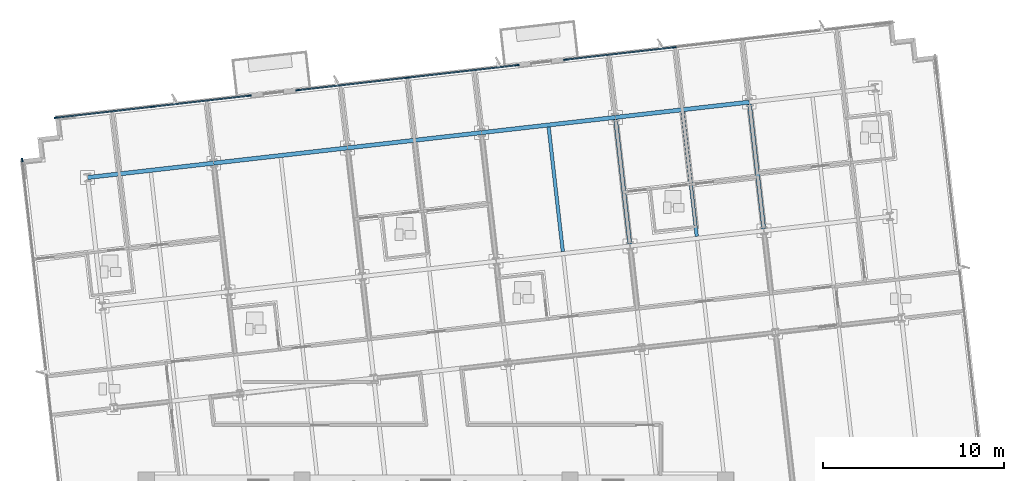
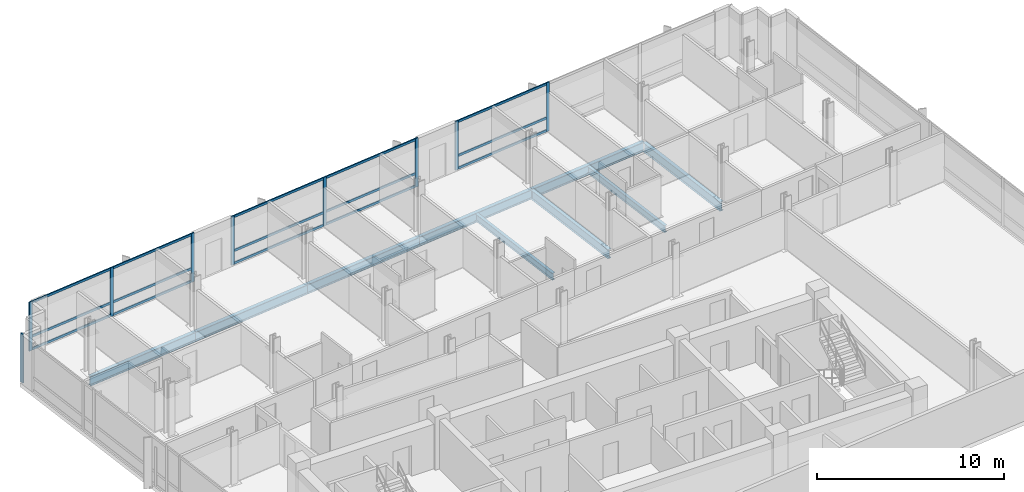
# One storey, part 5 of 17: 24 members, 9 beams, 4 elements without a shape of their own.
"""IFC4 building model written with IfcOpenShell, lengths in metres."""

from ifc_helpers import new_model, si_unit, direction, frame, origin, origin_2d, place, context, subcontext, project, spatial, rectangle, i_section, extrude, material, material_profile, profile_set, type_object, element, aggregate, save


model = new_model("IFC4")

# Units and contexts
model_context = context("Model", 3, precision=1e-05, world=origin(), true_north=direction((0.0, 1.0)))
body_context = subcontext(model_context, "Body", "Model", "MODEL_VIEW")
ifc_project = project(units=[si_unit("LENGTHUNIT", "METRE"), si_unit("AREAUNIT", "SQUARE_METRE"), si_unit("VOLUMEUNIT", "CUBIC_METRE"), si_unit("PLANEANGLEUNIT", "RADIAN"), si_unit("MASSUNIT", "GRAM", prefix="KILO")], contexts=[model_context])

# Site, building, storey
site_placement = place(None, origin())
site = spatial("IfcSite", under=ifc_project, at=site_placement, CompositionType="ELEMENT")
building_placement = place(site_placement, origin())
building = spatial("IfcBuilding", under=site, at=building_placement, Name="Solmavex Isthmus Hotel", CompositionType="ELEMENT")
storey_placement = place(building_placement, frame((0.0, 0.0, 202.050048828125)))
storey = spatial("IfcBuildingStorey", under=building, at=storey_placement, Name="L54", CompositionType="ELEMENT", Elevation=202.050048828125)

# Beams
ifc_material_1 = material(Name="Steel ASTM A992 Grade 50", Category="steel")
ifc_material_profile_1 = material_profile(ifc_material_1, i_section(OverallWidth=0.1904296875, OverallDepth=0.456787109375, WebThickness=0.009033203125, FlangeThickness=0.014404296875, FilletRadius=0.0126953125, at=origin_2d()), Name="W18X50")
ifc_profile_set_1 = profile_set([ifc_material_profile_1], Name="Steel ASTM A992 Grade 50")
beam_type_1 = type_object("IfcBeamType", Name="BM-BJ-W18X50", PredefinedType="JOIST", material=ifc_profile_set_1)
for number, where, z_axis, x_axis, name in (
    (1, (7.009033203125, 10.1328125, -0.488525390625), (-0.113202453846, 0.993571942258, 0.0), (-0.993571942258, -0.113202453846, 0.0), "Secondary Floor Joist L54-J14"),
    (2, (14.4072265625, 10.975830078125, -0.488525390625), (-0.113202453846, 0.993571942258, 0.0), (-0.993571942258, -0.113202453846, 0.0), "Secondary Floor Joist L54-J18"),
):
    element("IfcBeam", number, at=place(storey_placement, frame(where, z_axis=z_axis, x_axis=x_axis)), inside=storey, type_object=beam_type_1, Name=name, PredefinedType="JOIST", context=body_context, shape_type="SweptSolid", body=[
        extrude(i_section(OverallWidth=0.1904296875, OverallDepth=0.456787109375, WebThickness=0.009033203125, FlangeThickness=0.014404296875, FilletRadius=0.0126953125, at=origin_2d()), origin(), (0.0, 0.0, 1.0), 6.9228515625),
    ])
ifc_material_profile_2 = material_profile(ifc_material_1, i_section(OverallWidth=0.227783203125, OverallDepth=0.602783203125, WebThickness=0.010498046875, FlangeThickness=0.014892578125, FilletRadius=0.01513671875, at=origin_2d()), Name="W24X68")
ifc_profile_set_2 = profile_set([ifc_material_profile_2], Name="Steel ASTM A992 Grade 50")
beam_type_2 = type_object("IfcBeamType", Name="BM-BM-W24X68", PredefinedType="BEAM", material=ifc_profile_set_2)
for number, where, z_axis, x_axis, name in (
    (3, (10.708251953125, 10.55419921875, -0.561279296875), (-0.113202453846, 0.993571942258, 0.0), (-0.993571942258, -0.113202453846, 0.0), "Floor Beam L54-VG39"),
    (4, (18.106201171875, 11.397216796875, -0.561279296875), (-0.113202453846, 0.993571942258, 0.0), (-0.993571942258, -0.113202453846, 0.0), "Floor Beam L54-VG42"),
):
    element("IfcBeam", number, at=place(storey_placement, frame(where, z_axis=z_axis, x_axis=x_axis)), inside=storey, type_object=beam_type_2, Name=name, PredefinedType="BEAM", context=body_context, shape_type="SweptSolid", body=[
        extrude(i_section(OverallWidth=0.227783203125, OverallDepth=0.602783203125, WebThickness=0.010498046875, FlangeThickness=0.014892578125, FilletRadius=0.01513671875, at=origin_2d()), origin(), (0.0, 0.0, 1.0), 6.9228515625),
    ])
ifc_material_profile_3 = material_profile(ifc_material_1, i_section(OverallWidth=0.230224609375, OverallDepth=0.617431640625, WebThickness=0.01318359375, FlangeThickness=0.022216796875, FilletRadius=0.01513671875, at=origin_2d()), Name="W24X94")
ifc_profile_set_3 = profile_set([ifc_material_profile_3], Name="Steel ASTM A992 Grade 50")
beam_type_3 = type_object("IfcBeamType", Name="BM-SP-W24X94", PredefinedType="SPANDREL", material=ifc_profile_set_3)
beam_1_placement = place(storey_placement, frame((-19.245849609375, 14.22509765625, -0.56884765625), z_axis=(0.99357359356, 0.113187959519, 0.0), x_axis=(-0.113187959519, 0.99357359356, 0.0)))
element("IfcBeam", 5, at=beam_1_placement, inside=storey, type_object=beam_type_3, Name="Floor Girder L54-UG18", PredefinedType="SPANDREL", context=body_context, shape_type="SweptSolid", body=[
    extrude(i_section(OverallWidth=0.230224609375, OverallDepth=0.617431640625, WebThickness=0.01318359375, FlangeThickness=0.022216796875, FilletRadius=0.01513671875, at=origin_2d()), origin(), (0.0, 0.0, 1.0), 7.0078125),
])
beam_2_placement = place(storey_placement, frame((-12.282958984375, 15.018310546875, -0.56884765625), z_axis=(0.9935703463, 0.113216460607, 0.0), x_axis=(-0.113216460607, 0.9935703463, 0.0)))
element("IfcBeam", 6, at=beam_2_placement, inside=storey, type_object=beam_type_3, Name="Floor Girder L54-UG19", PredefinedType="SPANDREL", context=body_context, shape_type="SweptSolid", body=[
    extrude(i_section(OverallWidth=0.230224609375, OverallDepth=0.617431640625, WebThickness=0.01318359375, FlangeThickness=0.022216796875, FilletRadius=0.01513671875, at=origin_2d()), origin(), (0.0, 0.0, 1.0), 7.446044921875),
])
beam_3_placement = place(storey_placement, frame((-4.884765625, 15.861328125, -0.56884765625), z_axis=(0.993573613989, 0.113187780196, 0.0), x_axis=(-0.113187780196, 0.993573613989, 0.0)))
element("IfcBeam", 7, at=beam_3_placement, inside=storey, type_object=beam_type_3, Name="Floor Girder L54-UG20", PredefinedType="SPANDREL", context=body_context, shape_type="SweptSolid", body=[
    extrude(i_section(OverallWidth=0.230224609375, OverallDepth=0.617431640625, WebThickness=0.01318359375, FlangeThickness=0.022216796875, FilletRadius=0.01513671875, at=origin_2d()), origin(), (0.0, 0.0, 1.0), 7.44580078125),
])
for number, where, z_axis, x_axis, name in (
    (8, (2.51318359375, 16.7041015625, -0.56884765625), (0.9935703463, 0.113216460607, 0.0), (-0.113216460607, 0.9935703463, 0.0), "Floor Girder L54-UG21"),
    (9, (9.911376953125, 17.547119140625, -0.56884765625), (0.9935703463, 0.113216460607, 0.0), (-0.113216460607, 0.9935703463, 0.0), "Floor Girder L54-UG22"),
):
    element("IfcBeam", number, at=place(storey_placement, frame(where, z_axis=z_axis, x_axis=x_axis)), inside=storey, type_object=beam_type_3, Name=name, PredefinedType="SPANDREL", context=body_context, shape_type="SweptSolid", body=[
        extrude(i_section(OverallWidth=0.230224609375, OverallDepth=0.617431640625, WebThickness=0.01318359375, FlangeThickness=0.022216796875, FilletRadius=0.01513671875, at=origin_2d()), origin(), (0.0, 0.0, 1.0), 7.446044921875),
    ])

# Curtain wall, members
ifc_material_2 = material(Name="Aluminium alloy 6063-T6", Category="aluminium")
curtain_wall_type = type_object("IfcCurtainWallType", Name="CW-SYS-04", PredefinedType="NOTDEFINED", material=ifc_material_2)
curtain_wall_1_placement = place(storey_placement, origin())
curtain_wall_1 = element("IfcCurtainWall", 10, at=curtain_wall_1_placement, inside=storey, type_object=curtain_wall_type, Name="Stick Curtain Wall CWL-L54-N1", PredefinedType="NOTDEFINED")
ifc_material_profile_4 = material_profile(ifc_material_2, rectangle(XDim=0.074951171875, YDim=0.199951171875, at=origin_2d()), Name="CWM-75X200")
ifc_profile_set_4 = profile_set([ifc_material_profile_4], Name="Aluminium alloy 6063-T6")
member_type_1 = type_object("IfcMemberType", Name="CW-SYS-04-MUL", PredefinedType="MULLION", material=ifc_profile_set_4)
member_1_placement = place(storey_placement, frame((-20.99365234375, 17.528564453125, 0.0), z_axis=(0.0, 0.0, 1.0), x_axis=(-0.113202814871, 0.993571901125, 0.0)))
member_1 = element("IfcMember", 11, at=member_1_placement, type_object=member_type_1, Name="CW-04 mullion 1", PredefinedType="MULLION", context=body_context, shape_type="SweptSolid", body=[
    extrude(rectangle(XDim=0.074951171875, YDim=0.199951171875, at=origin_2d()), origin(), (0.0, 0.0, 1.0), 3.18994140625),
])
member_2_placement = place(storey_placement, frame((-15.650146484375, 18.13720703125, 0.0), z_axis=(0.0, 0.0, 1.0), x_axis=(-0.113202814871, 0.993571901125, 0.0)))
member_2 = element("IfcMember", 12, at=member_2_placement, type_object=member_type_1, Name="CW-04 mullion 2", PredefinedType="MULLION", context=body_context, shape_type="SweptSolid", body=[
    extrude(rectangle(XDim=0.074951171875, YDim=0.199951171875, at=origin_2d()), origin(), (0.0, 0.0, 1.0), 3.18994140625),
])
member_3_placement = place(storey_placement, frame((-10.306884765625, 18.74609375, 0.0), z_axis=(0.0, 0.0, 1.0), x_axis=(-0.113202814871, 0.993571901125, 0.0)))
member_3 = element("IfcMember", 13, at=member_3_placement, type_object=member_type_1, Name="CW-04 mullion 3", PredefinedType="MULLION", context=body_context, shape_type="SweptSolid", body=[
    extrude(rectangle(XDim=0.074951171875, YDim=0.199951171875, at=origin_2d()), origin(), (0.0, 0.0, 1.0), 3.18994140625),
])

curtain_wall_2_placement = place(storey_placement, origin())
curtain_wall_2 = element("IfcCurtainWall", 14, at=curtain_wall_2_placement, inside=storey, type_object=curtain_wall_type, Name="Stick Curtain Wall CWL-L54-N2", PredefinedType="NOTDEFINED")
member_4_placement = place(storey_placement, frame((-7.64892578125, 19.048828125, 0.0), z_axis=(0.0, 0.0, 1.0), x_axis=(-0.113202856801, 0.993571896348, 0.0)))
member_4 = element("IfcMember", 15, at=member_4_placement, type_object=member_type_1, Name="CW-04 mullion 1", PredefinedType="MULLION", context=body_context, shape_type="SweptSolid", body=[
    extrude(rectangle(XDim=0.074951171875, YDim=0.199951171875, at=origin_2d()), origin(), (0.0, 0.0, 1.0), 3.18994140625),
])
member_5_placement = place(storey_placement, frame((-1.579833984375, 19.740478515625, 0.0), z_axis=(0.0, 0.0, 1.0), x_axis=(-0.113202856801, 0.993571896348, 0.0)))
member_5 = element("IfcMember", 16, at=member_5_placement, type_object=member_type_1, Name="CW-04 mullion 2", PredefinedType="MULLION", context=body_context, shape_type="SweptSolid", body=[
    extrude(rectangle(XDim=0.074951171875, YDim=0.199951171875, at=origin_2d()), origin(), (0.0, 0.0, 1.0), 3.18994140625),
])
member_6_placement = place(storey_placement, frame((4.489501953125, 20.431884765625, 0.0), z_axis=(0.0, 0.0, 1.0), x_axis=(-0.113202856801, 0.993571896348, 0.0)))
member_6 = element("IfcMember", 17, at=member_6_placement, type_object=member_type_1, Name="CW-04 mullion 3", PredefinedType="MULLION", context=body_context, shape_type="SweptSolid", body=[
    extrude(rectangle(XDim=0.074951171875, YDim=0.199951171875, at=origin_2d()), origin(), (0.0, 0.0, 1.0), 3.18994140625),
])

curtain_wall_3_placement = place(storey_placement, origin())
curtain_wall_3 = element("IfcCurtainWall", 18, at=curtain_wall_3_placement, inside=storey, type_object=curtain_wall_type, Name="Stick Curtain Wall CWL-L54-N3", PredefinedType="NOTDEFINED")
member_7_placement = place(storey_placement, frame((7.147216796875, 20.734619140625, 0.0), z_axis=(0.0, 0.0, 1.0), x_axis=(-0.113203493636, 0.99357182379, 0.0)))
member_7 = element("IfcMember", 19, at=member_7_placement, type_object=member_type_1, Name="CW-04 mullion 1", PredefinedType="MULLION", context=body_context, shape_type="SweptSolid", body=[
    extrude(rectangle(XDim=0.074951171875, YDim=0.199951171875, at=origin_2d()), origin(), (0.0, 0.0, 1.0), 3.18994140625),
])
member_8_placement = place(storey_placement, frame((13.163330078125, 21.420166015625, 0.0), z_axis=(0.0, 0.0, 1.0), x_axis=(-0.113203493636, 0.99357182379, 0.0)))
member_8 = element("IfcMember", 20, at=member_8_placement, type_object=member_type_1, Name="CW-04 mullion 2", PredefinedType="MULLION", context=body_context, shape_type="SweptSolid", body=[
    extrude(rectangle(XDim=0.074951171875, YDim=0.199951171875, at=origin_2d()), origin(), (0.0, 0.0, 1.0), 3.18994140625),
])

# Curtain wall, member
curtain_wall_4_placement = place(storey_placement, origin())
curtain_wall_4 = element("IfcCurtainWall", 21, at=curtain_wall_4_placement, inside=storey, type_object=curtain_wall_type, Name="Stick Curtain Wall CWL-L54-W1", PredefinedType="NOTDEFINED")
member_9_placement = place(storey_placement, frame((-22.85791015625, 15.184814453125, 0.0), z_axis=(0.0, 0.0, 1.0), x_axis=(-0.993571836648, -0.11320338078, 0.0)))
member_9 = element("IfcMember", 22, at=member_9_placement, type_object=member_type_1, Name="CW-04 mullion 6", PredefinedType="MULLION", context=body_context, shape_type="SweptSolid", body=[
    extrude(rectangle(XDim=0.074951171875, YDim=0.199951171875, at=origin_2d()), origin(), (0.0, 0.0, 1.0), 3.18994140625),
])
aggregate(curtain_wall_4, [member_9])

# Member
ifc_material_profile_5 = material_profile(ifc_material_2, rectangle(XDim=0.074951171875, YDim=0.14990234375, at=origin_2d()), Name="CWT-75X150")
ifc_profile_set_5 = profile_set([ifc_material_profile_5], Name="Aluminium alloy 6063-T6")
member_type_2 = type_object("IfcMemberType", Name="CW-SYS-04-TRN", PredefinedType="USERDEFINED", material=ifc_profile_set_5)
member_10_placement = place(storey_placement, frame((-20.956298828125, 17.53271484375, 0.074951171875), z_axis=(0.993571049718, 0.113210287348, 0.0), x_axis=(-0.113210287348, 0.993571049718, 0.0)))
member_10 = element("IfcMember", 23, at=member_10_placement, type_object=member_type_2, Name="CW-04 transom 1.1", ObjectType="TRANSOM", PredefinedType="USERDEFINED", context=body_context, shape_type="SweptSolid", body=[
    extrude(rectangle(XDim=0.074951171875, YDim=0.14990234375, at=origin_2d()), origin(), (0.0, 0.0, 1.0), 5.302978515625),
])

member_11_placement = place(storey_placement, frame((-20.956298828125, 17.53271484375, 0.89990234375), z_axis=(0.993571049718, 0.113210287348, 0.0), x_axis=(-0.113210287348, 0.993571049718, 0.0)))
member_11 = element("IfcMember", 24, at=member_11_placement, type_object=member_type_2, Name="CW-04 transom 1.2", ObjectType="TRANSOM", PredefinedType="USERDEFINED", context=body_context, shape_type="SweptSolid", body=[
    extrude(rectangle(XDim=0.074951171875, YDim=0.14990234375, at=origin_2d()), origin(), (0.0, 0.0, 1.0), 5.302978515625),
])

member_12_placement = place(storey_placement, frame((-20.956298828125, 17.53271484375, 3.114990234375), z_axis=(0.993571049718, 0.113210287348, 0.0), x_axis=(-0.113210287348, 0.993571049718, 0.0)))
member_12 = element("IfcMember", 25, at=member_12_placement, type_object=member_type_2, Name="CW-04 transom 1.3", ObjectType="TRANSOM", PredefinedType="USERDEFINED", context=body_context, shape_type="SweptSolid", body=[
    extrude(rectangle(XDim=0.074951171875, YDim=0.14990234375, at=origin_2d()), origin(), (0.0, 0.0, 1.0), 5.302978515625),
])

member_13_placement = place(storey_placement, frame((-15.613037109375, 18.1416015625, 0.074951171875), z_axis=(0.993571639742, 0.113205108986, 0.0), x_axis=(-0.113205108986, 0.993571639742, 0.0)))
member_13 = element("IfcMember", 26, at=member_13_placement, type_object=member_type_2, Name="CW-04 transom 2.1", ObjectType="TRANSOM", PredefinedType="USERDEFINED", context=body_context, shape_type="SweptSolid", body=[
    extrude(rectangle(XDim=0.074951171875, YDim=0.14990234375, at=origin_2d()), origin(), (0.0, 0.0, 1.0), 5.30322265625),
])

member_14_placement = place(storey_placement, frame((-15.613037109375, 18.1416015625, 0.89990234375), z_axis=(0.993571639742, 0.113205108986, 0.0), x_axis=(-0.113205108986, 0.993571639742, 0.0)))
member_14 = element("IfcMember", 27, at=member_14_placement, type_object=member_type_2, Name="CW-04 transom 2.2", ObjectType="TRANSOM", PredefinedType="USERDEFINED", context=body_context, shape_type="SweptSolid", body=[
    extrude(rectangle(XDim=0.074951171875, YDim=0.14990234375, at=origin_2d()), origin(), (0.0, 0.0, 1.0), 5.30322265625),
])

member_15_placement = place(storey_placement, frame((-15.613037109375, 18.1416015625, 3.114990234375), z_axis=(0.993571639742, 0.113205108986, 0.0), x_axis=(-0.113205108986, 0.993571639742, 0.0)))
member_15 = element("IfcMember", 28, at=member_15_placement, type_object=member_type_2, Name="CW-04 transom 2.3", ObjectType="TRANSOM", PredefinedType="USERDEFINED", context=body_context, shape_type="SweptSolid", body=[
    extrude(rectangle(XDim=0.074951171875, YDim=0.14990234375, at=origin_2d()), origin(), (0.0, 0.0, 1.0), 5.30322265625),
])

aggregate(curtain_wall_1, [member_1, member_2, member_3, member_10, member_11, member_12, member_13, member_14, member_15])

member_16_placement = place(storey_placement, frame((-7.61181640625, 19.05322265625, 0.074951171875), z_axis=(0.993574990392, 0.113175697338, 0.0), x_axis=(-0.113175697338, 0.993574990392, 0.0)))
member_16 = element("IfcMember", 29, at=member_16_placement, type_object=member_type_2, Name="CW-04 transom 1.1", ObjectType="TRANSOM", PredefinedType="USERDEFINED", context=body_context, shape_type="SweptSolid", body=[
    extrude(rectangle(XDim=0.074951171875, YDim=0.14990234375, at=origin_2d()), origin(), (0.0, 0.0, 1.0), 6.03369140625),
])

member_17_placement = place(storey_placement, frame((-7.61181640625, 19.05322265625, 0.89990234375), z_axis=(0.993574990392, 0.113175697338, 0.0), x_axis=(-0.113175697338, 0.993574990392, 0.0)))
member_17 = element("IfcMember", 30, at=member_17_placement, type_object=member_type_2, Name="CW-04 transom 1.2", ObjectType="TRANSOM", PredefinedType="USERDEFINED", context=body_context, shape_type="SweptSolid", body=[
    extrude(rectangle(XDim=0.074951171875, YDim=0.14990234375, at=origin_2d()), origin(), (0.0, 0.0, 1.0), 6.03369140625),
])

member_18_placement = place(storey_placement, frame((-7.61181640625, 19.05322265625, 3.114990234375), z_axis=(0.993574990392, 0.113175697338, 0.0), x_axis=(-0.113175697338, 0.993574990392, 0.0)))
member_18 = element("IfcMember", 31, at=member_18_placement, type_object=member_type_2, Name="CW-04 transom 1.3", ObjectType="TRANSOM", PredefinedType="USERDEFINED", context=body_context, shape_type="SweptSolid", body=[
    extrude(rectangle(XDim=0.074951171875, YDim=0.14990234375, at=origin_2d()), origin(), (0.0, 0.0, 1.0), 6.03369140625),
])

member_19_placement = place(storey_placement, frame((-1.54248046875, 19.74462890625, 0.074951171875), z_axis=(0.993569920899, 0.113220193804, 0.0), x_axis=(-0.113220193804, 0.993569920899, 0.0)))
member_19 = element("IfcMember", 32, at=member_19_placement, type_object=member_type_2, Name="CW-04 transom 2.1", ObjectType="TRANSOM", PredefinedType="USERDEFINED", context=body_context, shape_type="SweptSolid", body=[
    extrude(rectangle(XDim=0.074951171875, YDim=0.14990234375, at=origin_2d()), origin(), (0.0, 0.0, 1.0), 6.033447265625),
])

member_20_placement = place(storey_placement, frame((-1.54248046875, 19.74462890625, 0.89990234375), z_axis=(0.993569920899, 0.113220193804, 0.0), x_axis=(-0.113220193804, 0.993569920899, 0.0)))
member_20 = element("IfcMember", 33, at=member_20_placement, type_object=member_type_2, Name="CW-04 transom 2.2", ObjectType="TRANSOM", PredefinedType="USERDEFINED", context=body_context, shape_type="SweptSolid", body=[
    extrude(rectangle(XDim=0.074951171875, YDim=0.14990234375, at=origin_2d()), origin(), (0.0, 0.0, 1.0), 6.033447265625),
])

member_21_placement = place(storey_placement, frame((-1.54248046875, 19.74462890625, 3.114990234375), z_axis=(0.993569920899, 0.113220193804, 0.0), x_axis=(-0.113220193804, 0.993569920899, 0.0)))
member_21 = element("IfcMember", 34, at=member_21_placement, type_object=member_type_2, Name="CW-04 transom 2.3", ObjectType="TRANSOM", PredefinedType="USERDEFINED", context=body_context, shape_type="SweptSolid", body=[
    extrude(rectangle(XDim=0.074951171875, YDim=0.14990234375, at=origin_2d()), origin(), (0.0, 0.0, 1.0), 6.033447265625),
])

aggregate(curtain_wall_2, [member_4, member_5, member_6, member_16, member_17, member_18, member_19, member_20, member_21])

member_22_placement = place(storey_placement, frame((7.1845703125, 20.739013671875, 0.074951171875), z_axis=(0.993570647741, 0.113213815179, 0.0), x_axis=(-0.113213815179, 0.993570647741, 0.0)))
member_22 = element("IfcMember", 35, at=member_22_placement, type_object=member_type_2, Name="CW-04 transom 1.1", ObjectType="TRANSOM", PredefinedType="USERDEFINED", context=body_context, shape_type="SweptSolid", body=[
    extrude(rectangle(XDim=0.074951171875, YDim=0.14990234375, at=origin_2d()), origin(), (0.0, 0.0, 1.0), 5.979736328125),
])

member_23_placement = place(storey_placement, frame((7.1845703125, 20.739013671875, 0.89990234375), z_axis=(0.993570647741, 0.113213815179, 0.0), x_axis=(-0.113213815179, 0.993570647741, 0.0)))
member_23 = element("IfcMember", 36, at=member_23_placement, type_object=member_type_2, Name="CW-04 transom 1.2", ObjectType="TRANSOM", PredefinedType="USERDEFINED", context=body_context, shape_type="SweptSolid", body=[
    extrude(rectangle(XDim=0.074951171875, YDim=0.14990234375, at=origin_2d()), origin(), (0.0, 0.0, 1.0), 5.979736328125),
])

member_24_placement = place(storey_placement, frame((7.1845703125, 20.739013671875, 3.114990234375), z_axis=(0.993570647741, 0.113213815179, 0.0), x_axis=(-0.113213815179, 0.993570647741, 0.0)))
member_24 = element("IfcMember", 37, at=member_24_placement, type_object=member_type_2, Name="CW-04 transom 1.3", ObjectType="TRANSOM", PredefinedType="USERDEFINED", context=body_context, shape_type="SweptSolid", body=[
    extrude(rectangle(XDim=0.074951171875, YDim=0.14990234375, at=origin_2d()), origin(), (0.0, 0.0, 1.0), 5.979736328125),
])

aggregate(curtain_wall_3, [member_7, member_8, member_22, member_23, member_24])

save(model, "model.ifc")
